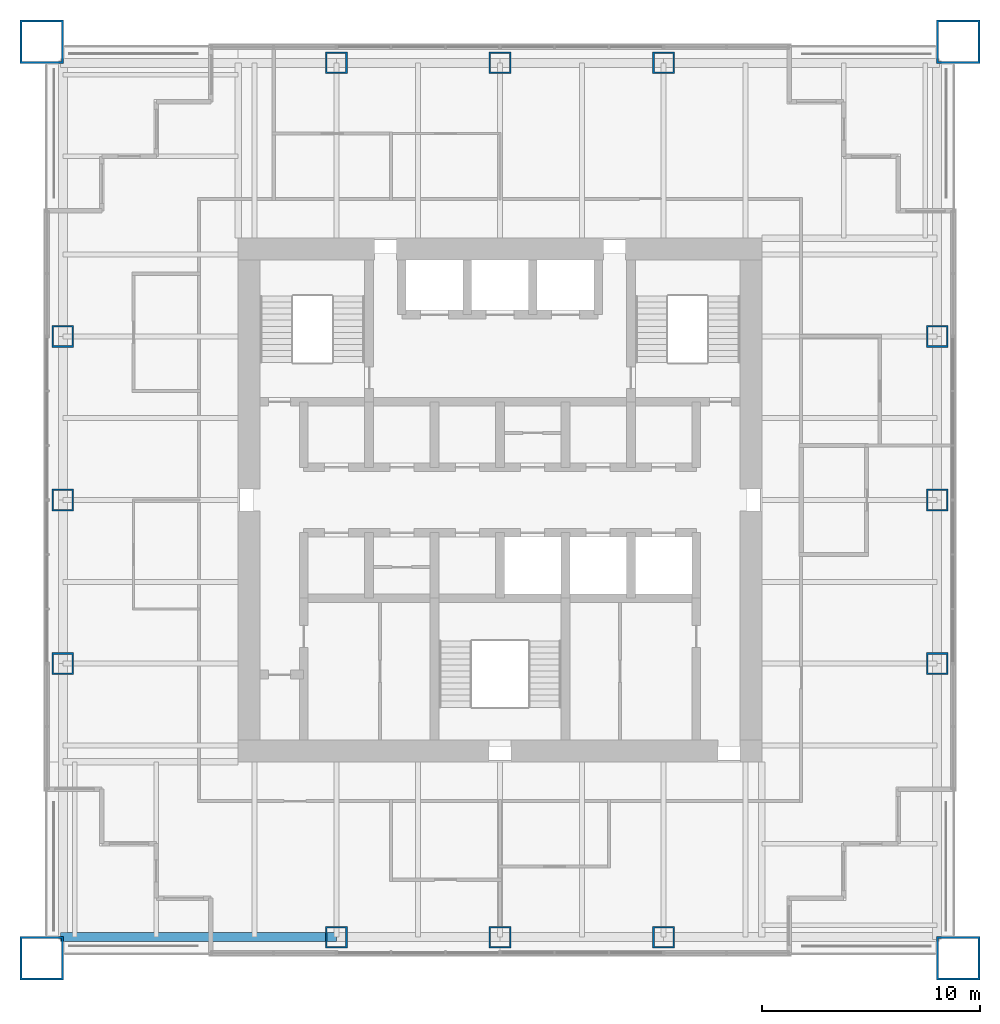
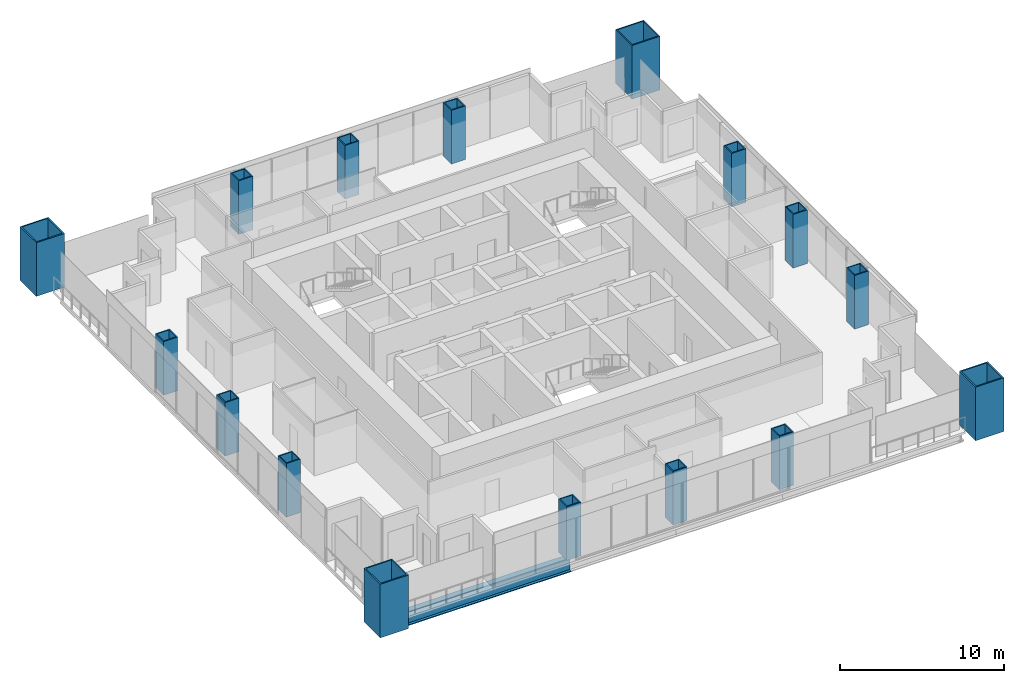
# One storey, part 1 of 14: 16 columns, 1 beam.
"""IFC4 building model written with IfcOpenShell, lengths in metres."""

from ifc_helpers import new_model, si_unit, direction, frame, origin, origin_2d, place, context, subcontext, project, spatial, hollow_rectangle, i_section, extrude, material, material_profile, profile_set, type_object, element, save


model = new_model("IFC4")

# Units and contexts
model_context = context("Model", 3, precision=1e-05, world=origin(), true_north=direction((0.0, 1.0)))
body_context = subcontext(model_context, "Body", "Model", "MODEL_VIEW")
ifc_project = project(units=[si_unit("LENGTHUNIT", "METRE"), si_unit("AREAUNIT", "SQUARE_METRE"), si_unit("VOLUMEUNIT", "CUBIC_METRE"), si_unit("PLANEANGLEUNIT", "RADIAN"), si_unit("MASSUNIT", "GRAM", prefix="KILO")], contexts=[model_context])

# Site, building, storey
site_placement = place(None, origin())
site = spatial("IfcSite", under=ifc_project, at=site_placement, CompositionType="ELEMENT")
building_placement = place(site_placement, origin())
building = spatial("IfcBuilding", under=site, at=building_placement, Name="Tarangal Relay Tower", CompositionType="ELEMENT")
storey_placement = place(building_placement, frame((0.0, 0.0, 267.89990234375)))
storey = spatial("IfcBuildingStorey", under=building, at=storey_placement, Name="L58", CompositionType="ELEMENT", Elevation=267.89990234375)

# Columns
ifc_material_1 = material(Name="Steel ASTM A572 Grade 50", Category="steel")
ifc_material_profile_1 = material_profile(ifc_material_1, hollow_rectangle(XDim=2.0, YDim=2.0, WallThickness=0.094970703125, at=origin_2d()), Name="BOX2000X2000X95")
ifc_profile_set_1 = profile_set([ifc_material_profile_1], Name="Steel ASTM A572 Grade 50")
column_type_1 = type_object("IfcColumnType", Name="Mega column BOX2000X2000X95", PredefinedType="COLUMN", material=ifc_profile_set_1)
for number, where, z_axis, x_axis, name in (
    (1, (21.0, 21.0, 0.0), (0.0, 0.0, 1.0), (1.0, 0.0, 0.0), "Mega column MC4 NE L58"),
    (2, (21.0, -21.0, 0.0), (0.0, 0.0, 1.0), (1.0, 0.0, 0.0), "Mega column MC4 SE L58"),
    (3, (-21.0, -21.0, 0.0), (0.0, 0.0, 1.0), (1.0, 0.0, 0.0), "Mega column MC4 SW L58"),
    (4, (-21.0, 21.0, 0.0), (0.0, 0.0, 1.0), (1.0, 0.0, 0.0), "Mega column MC4 NW L58"),
):
    element("IfcColumn", number, at=place(storey_placement, frame(where, z_axis=z_axis, x_axis=x_axis)), inside=storey, type_object=column_type_1, Name=name, PredefinedType="COLUMN", context=body_context, shape_type="SweptSolid", body=[
        extrude(hollow_rectangle(XDim=2.0, YDim=2.0, WallThickness=0.094970703125, at=origin_2d()), origin(), (0.0, 0.0, 1.0), 4.0),
    ])
ifc_material_profile_2 = material_profile(ifc_material_1, hollow_rectangle(XDim=1.0, YDim=1.0, WallThickness=0.074951171875, at=origin_2d()), Name="BOX1000X1000X75")
ifc_profile_set_2 = profile_set([ifc_material_profile_2], Name="Steel ASTM A572 Grade 50")
column_type_2 = type_object("IfcColumnType", Name="Perimeter column BOX1000X1000X75", PredefinedType="COLUMN", material=ifc_profile_set_2)
for number, where, z_axis, x_axis, name in (
    (5, (-7.5, 20.0400390625, 0.0), (0.0, 0.0, 1.0), (1.0, 0.0, 0.0), "Perimeter column PC5 N L58"),
    (6, (0.0, 20.0400390625, 0.0), (0.0, 0.0, 1.0), (1.0, 0.0, 0.0), "Perimeter column PC5 N L58"),
    (7, (7.5, 20.0400390625, 0.0), (0.0, 0.0, 1.0), (1.0, 0.0, 0.0), "Perimeter column PC5 N L58"),
    (8, (20.0400390625, 7.5, 0.0), (0.0, 0.0, 1.0), (1.0, 0.0, 0.0), "Perimeter column PC5 E L58"),
    (9, (20.0400390625, 0.0, 0.0), (0.0, 0.0, 1.0), (1.0, 0.0, 0.0), "Perimeter column PC5 E L58"),
    (10, (20.0400390625, -7.5, 0.0), (0.0, 0.0, 1.0), (1.0, 0.0, 0.0), "Perimeter column PC5 E L58"),
    (11, (7.5, -20.0400390625, 0.0), (0.0, 0.0, 1.0), (1.0, 0.0, 0.0), "Perimeter column PC5 S L58"),
    (12, (0.0, -20.0400390625, 0.0), (0.0, 0.0, 1.0), (1.0, 0.0, 0.0), "Perimeter column PC5 S L58"),
    (13, (-7.5, -20.0400390625, 0.0), (0.0, 0.0, 1.0), (1.0, 0.0, 0.0), "Perimeter column PC5 S L58"),
    (14, (-20.0400390625, -7.5, 0.0), (0.0, 0.0, 1.0), (1.0, 0.0, 0.0), "Perimeter column PC5 W L58"),
    (15, (-20.0400390625, 0.0, 0.0), (0.0, 0.0, 1.0), (1.0, 0.0, 0.0), "Perimeter column PC5 W L58"),
    (16, (-20.0400390625, 7.5, 0.0), (0.0, 0.0, 1.0), (1.0, 0.0, 0.0), "Perimeter column PC5 W L58"),
):
    element("IfcColumn", number, at=place(storey_placement, frame(where, z_axis=z_axis, x_axis=x_axis)), inside=storey, type_object=column_type_2, Name=name, PredefinedType="COLUMN", context=body_context, shape_type="SweptSolid", body=[
        extrude(hollow_rectangle(XDim=1.0, YDim=1.0, WallThickness=0.074951171875, at=origin_2d()), origin(), (0.0, 0.0, 1.0), 4.0),
    ])

# Beam
ifc_material_2 = material(Name="Steel ASTM A992", Category="steel")
ifc_material_profile_3 = material_profile(ifc_material_2, i_section(OverallWidth=0.41162109375, OverallDepth=1.049072265625, WebThickness=0.033935546875, FlangeThickness=0.059814453125, at=origin_2d()), Name="W40X431")
ifc_profile_set_3 = profile_set([ifc_material_profile_3], Name="Steel ASTM A992")
beam_type = type_object("IfcBeamType", Name="Edge girder W40X431", PredefinedType="SPANDREL", material=ifc_profile_set_3)
beam_placement = place(storey_placement, frame((-7.5, -20.0400390625, -0.67431640625), z_axis=(-1.0, 0.0, 0.0), x_axis=(0.0, -1.0, 0.0)))
element("IfcBeam", 17, at=beam_placement, inside=storey, type_object=beam_type, Name="Edge girder EG1 S L58", PredefinedType="SPANDREL", context=body_context, shape_type="SweptSolid", body=[
    extrude(i_section(OverallWidth=0.41162109375, OverallDepth=1.049072265625, WebThickness=0.033935546875, FlangeThickness=0.059814453125, at=origin_2d()), origin(), (0.0, 0.0, 1.0), 12.64990234375),
])

save(model, "model.ifc")
